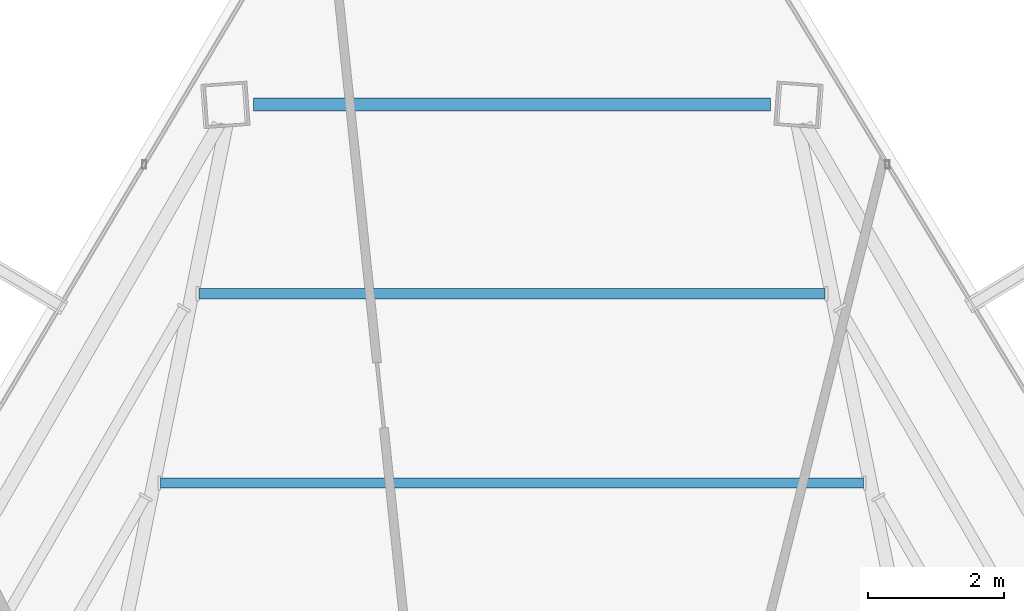
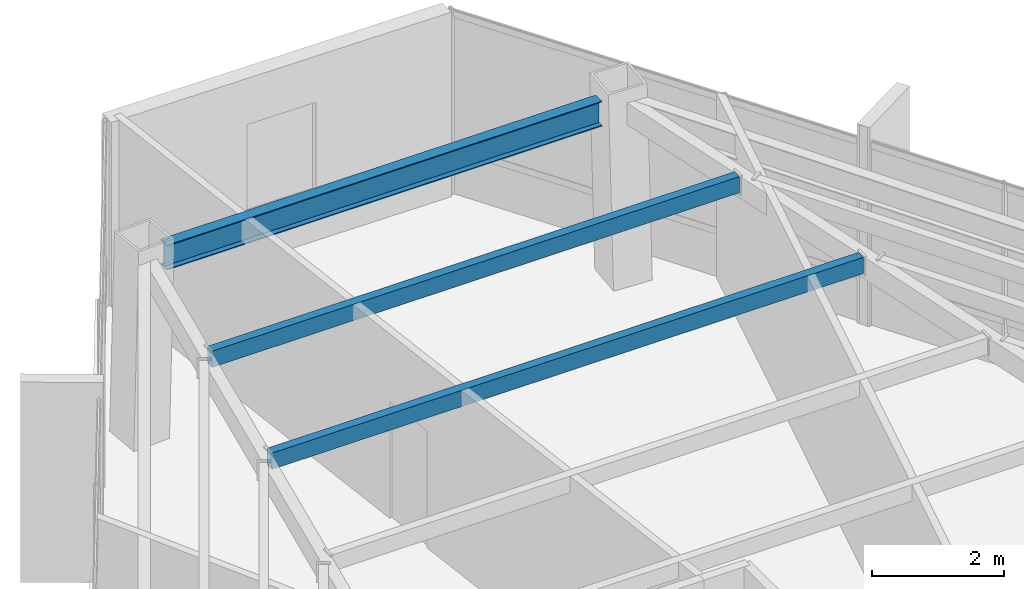
# One storey, part 32 of 45: 3 beams.
"""IFC4 building model written with IfcOpenShell, lengths in metres."""

from ifc_helpers import new_model, si_unit, direction, frame, origin, origin_2d, place, context, subcontext, project, spatial, hollow_rectangle, i_section, extrude, source, transform, mapped, material, material_profile, profile_set, type_object, type_shapes, element, save


model = new_model("IFC4")

# Units and contexts
model_context = context("Model", 3, precision=1e-05, world=origin(), true_north=direction((0.0, 1.0)))
body_context = subcontext(model_context, "Body", "Model", "MODEL_VIEW")
ifc_project = project(units=[si_unit("LENGTHUNIT", "METRE"), si_unit("AREAUNIT", "SQUARE_METRE"), si_unit("VOLUMEUNIT", "CUBIC_METRE"), si_unit("PLANEANGLEUNIT", "RADIAN"), si_unit("MASSUNIT", "GRAM", prefix="KILO")], contexts=[model_context])

# Site, building, storey
site_placement = place(None, origin())
site = spatial("IfcSite", under=ifc_project, at=site_placement, CompositionType="ELEMENT")
building_placement = place(site_placement, origin())
building = spatial("IfcBuilding", under=site, at=building_placement, Name="Caelisora Broadcast Tower", CompositionType="ELEMENT")
storey_placement = place(building_placement, frame((0.0, 0.0, 240.800048828125)))
storey = spatial("IfcBuildingStorey", under=building, at=storey_placement, Name="L63", CompositionType="ELEMENT", Elevation=240.800048828125)

# Beams
ifc_material_1 = material(Name="Steel Grade 350 (AS/NZS 3679.1)", Category="steel")
ifc_material_profile_1 = material_profile(ifc_material_1, i_section(OverallWidth=0.19091796875, OverallDepth=0.46044921875, WebThickness=0.010009765625, FlangeThickness=0.01611328125, at=origin_2d()), Name="Steel Grade 350 (AS/NZS 3679.1)")
ifc_profile_set_1 = profile_set([ifc_material_profile_1], Name="Steel Grade 350 (AS/NZS 3679.1)")
beam_type_1 = type_object("IfcBeamType", Name="PG06", PredefinedType="BEAM", material=ifc_profile_set_1)
shared_shape_1 = source(origin(), body_context, "Body", "SweptSolid", [
    extrude(i_section(OverallWidth=0.19091796875, OverallDepth=0.46044921875, WebThickness=0.010009765625, FlangeThickness=0.01611328125, at=origin_2d()), origin(), (0.0, 0.0, 1.0), 7.5869140625),
])
type_shapes(beam_type_1, [shared_shape_1])
beam_1_placement = place(storey_placement, frame((41.79345703125, 46.653564453125, 3.169677734375), z_axis=(-1.0, 0.0, 0.0), x_axis=(0.0, -1.0, 0.0)))
element("IfcBeam", 1, at=beam_1_placement, inside=storey, type_object=beam_type_1, Name="L63 beam PG06", PredefinedType="BEAM", context=body_context, shape_type="MappedRepresentation", body=[
    mapped(shared_shape_1, transform((0.0, 0.0, 0.0), scale=1.0)),
])
ifc_material_2 = material(Name="Steel Grade 350 (AS/NZS 1163 C350L0)", Category="steel")
ifc_material_profile_2 = material_profile(ifc_material_2, hollow_rectangle(XDim=0.14990234375, YDim=0.300048828125, WallThickness=0.010009765625, at=origin_2d()), Name="Steel Grade 350 (AS/NZS 1163 C350L0)")
ifc_profile_set_2 = profile_set([ifc_material_profile_2], Name="Steel Grade 350 (AS/NZS 1163 C350L0)")
beam_type_2 = type_object("IfcBeamType", Name="SB05", PredefinedType="JOIST", material=ifc_profile_set_2)
shared_shape_2 = source(origin(), body_context, "Body", "SweptSolid", [
    extrude(hollow_rectangle(XDim=0.14990234375, YDim=0.300048828125, WallThickness=0.010009765625, at=origin_2d()), origin(), (0.0, 0.0, 1.0), 10.310546875),
])
beam_2_placement = place(storey_placement, frame((43.1552734375, 41.102294921875, 3.25), z_axis=(-1.0, 0.0, 0.0), x_axis=(0.0, -1.0, 0.0)))
element("IfcBeam", 2, at=beam_2_placement, inside=storey, type_object=beam_type_2, Name="L63 beam SB05", PredefinedType="JOIST", context=body_context, shape_type="MappedRepresentation", body=[
    mapped(shared_shape_2, transform((0.0, 0.0, 0.0), scale=1.0)),
])
shared_shape_3 = source(origin(), body_context, "Body", "SweptSolid", [
    extrude(hollow_rectangle(XDim=0.14990234375, YDim=0.300048828125, WallThickness=0.010009765625, at=origin_2d()), origin(), (0.0, 0.0, 1.0), 9.18798828125),
])
type_shapes(beam_type_2, [shared_shape_2, shared_shape_3])
beam_3_placement = place(storey_placement, frame((42.593994140625, 43.8779296875, 3.25), z_axis=(-1.0, 0.0, 0.0), x_axis=(0.0, -1.0, 0.0)))
element("IfcBeam", 3, at=beam_3_placement, inside=storey, type_object=beam_type_2, Name="L63 beam SB05", PredefinedType="JOIST", context=body_context, shape_type="MappedRepresentation", body=[
    mapped(shared_shape_3, transform((0.0, 0.0, 0.0), scale=1.0)),
])

save(model, "model.ifc")
